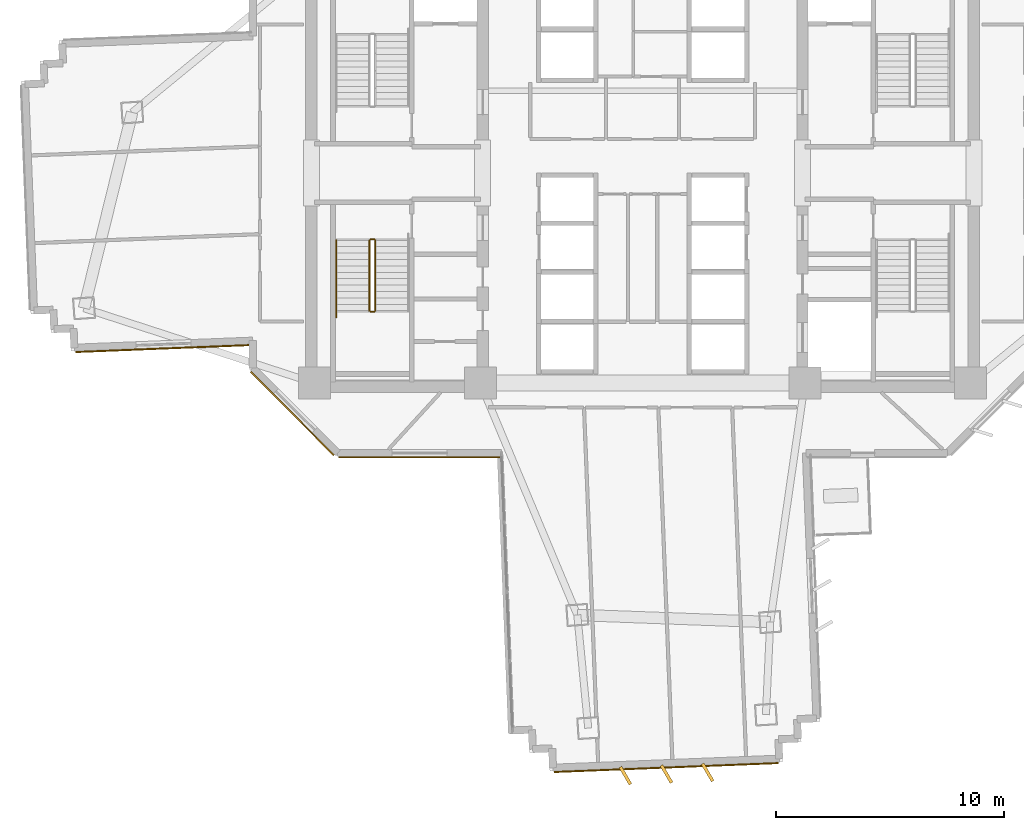
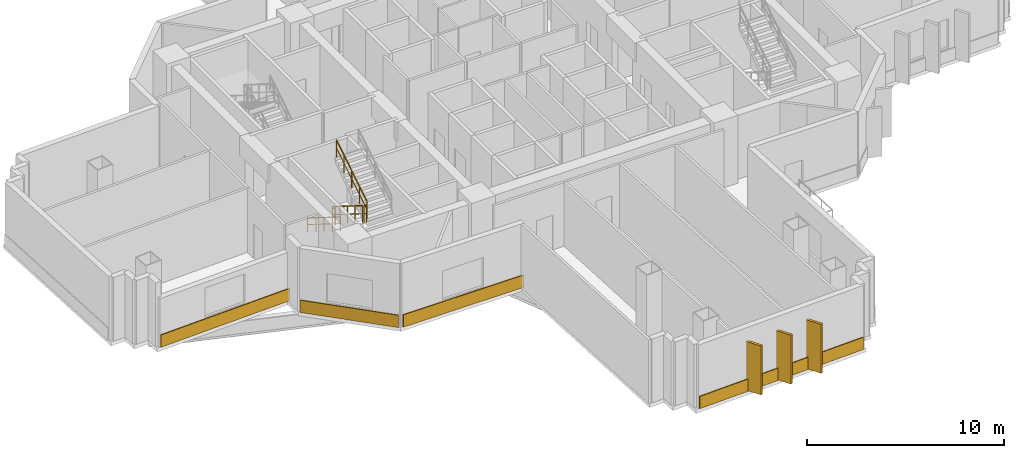
# One storey, part 12 of 16: 7 coverings, 5 railings.
"""IFC4 building model written with IfcOpenShell, lengths in metres."""

from ifc_helpers import new_model, si_unit, direction, frame, origin, origin_2d, place, context, subcontext, project, spatial, rectangle, extrude, source, transform, mapped, material, layer, layer_set, type_object, element, save


model = new_model("IFC4")

# Units and contexts
model_context = context("Model", 3, precision=1e-05, world=origin(), true_north=direction((0.0, 1.0)))
body_context = subcontext(model_context, "Body", "Model", "MODEL_VIEW")
ifc_project = project(units=[si_unit("LENGTHUNIT", "METRE"), si_unit("AREAUNIT", "SQUARE_METRE"), si_unit("VOLUMEUNIT", "CUBIC_METRE"), si_unit("PLANEANGLEUNIT", "RADIAN"), si_unit("MASSUNIT", "GRAM", prefix="KILO")], contexts=[model_context])

# Site, building, storey
site_placement = place(None, origin())
site = spatial("IfcSite", under=ifc_project, at=site_placement, CompositionType="ELEMENT")
building_placement = place(site_placement, origin())
building = spatial("IfcBuilding", under=site, at=building_placement, Name="Zahravan Cultural Tower", CompositionType="ELEMENT")
storey_placement = place(building_placement, frame((0.0, 0.0, 54.300048828125)))
storey = spatial("IfcBuildingStorey", under=building, at=storey_placement, Name="L11", CompositionType="ELEMENT", Elevation=54.300048828125)

# Railings
ifc_material_1 = material(Name="Steel ASTM A572 Grade 50", Category="steel")
railing_type_1 = type_object("IfcRailingType", Name="RL-STAIR-GRD1150", PredefinedType="BALUSTRADE", material=ifc_material_1)
railing_1_placement = place(storey_placement, frame((24.050048828125, 24.050048828125, 0.175048828125)))
element("IfcRailing", 1, at=railing_1_placement, inside=storey, type_object=railing_type_1, Name="L11 ST-W2 stair guard 1", PredefinedType="BALUSTRADE", context=body_context, shape_type="SweptSolid", body=[
    extrude(rectangle(XDim=0.05, YDim=0.05, at=origin_2d()), frame((0.0, 0.0, 1.0751953125), z_axis=(0.0, -0.848028513186, 0.529950602248), x_axis=(1.0, 0.0, 0.0)), (0.0, 0.0, 1.0), 3.632080078125),
    extrude(rectangle(XDim=0.032, YDim=0.032, at=origin_2d()), frame((0.0, 0.0, 0.572021484375), z_axis=(0.0, -0.848028513186, 0.529950602248), x_axis=(1.0, 0.0, 0.0)), (0.0, 0.0, 1.0), 3.632080078125),
    extrude(rectangle(XDim=0.04, YDim=0.04, at=origin_2d()), origin(), (0.0, 0.0, 1.0), 1.10009765625),
    extrude(rectangle(XDim=0.04, YDim=0.04, at=origin_2d()), frame((0.0, -0.77001953125, 0.481201171875)), (0.0, 0.0, 1.0), 1.10009765625),
    extrude(rectangle(XDim=0.04, YDim=0.04, at=origin_2d()), frame((0.0, -1.5400390625, 0.96240234375)), (0.0, 0.0, 1.0), 1.10009765625),
    extrude(rectangle(XDim=0.04, YDim=0.04, at=origin_2d()), frame((0.0, -2.31005859375, 1.443603515625)), (0.0, 0.0, 1.0), 1.10009765625),
    extrude(rectangle(XDim=0.04, YDim=0.04, at=origin_2d()), frame((0.0, -3.080078125, 1.9248046875)), (0.0, 0.0, 1.0), 1.10009765625),
])
railing_2_placement = place(storey_placement, frame((24.10009765625, 20.919921875, 2.099853515625)))
element("IfcRailing", 2, at=railing_2_placement, inside=storey, type_object=railing_type_1, Name="L11 ST-W2 stair guard 2", PredefinedType="BALUSTRADE", context=body_context, shape_type="SweptSolid", body=[
    extrude(rectangle(XDim=0.05, YDim=0.05, at=origin_2d()), frame((0.0, 0.0, 1.0751953125), z_axis=(1.0, 0.0, 0.0), x_axis=(0.0, 1.0, 0.0)), (0.0, 0.0, 1.0), 0.14990234375),
    extrude(rectangle(XDim=0.032, YDim=0.032, at=origin_2d()), frame((0.0, 0.0, 0.572021484375), z_axis=(1.0, 0.0, 0.0), x_axis=(0.0, 1.0, 0.0)), (0.0, 0.0, 1.0), 0.14990234375),
    extrude(rectangle(XDim=0.04, YDim=0.04, at=origin_2d()), origin(), (0.0, 0.0, 1.0), 1.10009765625),
    extrude(rectangle(XDim=0.04, YDim=0.04, at=origin_2d()), frame((0.14990234375, 0.0, 0.0)), (0.0, 0.0, 1.0), 1.10009765625),
])
railing_3_placement = place(storey_placement, frame((24.300048828125, 20.969970703125, 2.27490234375)))
element("IfcRailing", 3, at=railing_3_placement, inside=storey, type_object=railing_type_1, Name="L11 ST-W2 stair guard 3", PredefinedType="BALUSTRADE", context=body_context, shape_type="SweptSolid", body=[
    extrude(rectangle(XDim=0.05, YDim=0.05, at=origin_2d()), frame((0.0, 0.0, 1.0751953125), z_axis=(0.0, 0.847998304005, 0.529998940003), x_axis=(-1.0, 0.0, 0.0)), (0.0, 0.0, 1.0), 3.632080078125),
    extrude(rectangle(XDim=0.032, YDim=0.032, at=origin_2d()), frame((0.0, 0.0, 0.572021484375), z_axis=(0.0, 0.847998304005, 0.529998940003), x_axis=(-1.0, 0.0, 0.0)), (0.0, 0.0, 1.0), 3.632080078125),
    extrude(rectangle(XDim=0.04, YDim=0.04, at=origin_2d()), origin(), (0.0, 0.0, 1.0), 1.10009765625),
    extrude(rectangle(XDim=0.04, YDim=0.04, at=origin_2d()), frame((0.0, 0.77001953125, 0.481201171875)), (0.0, 0.0, 1.0), 1.10009765625),
    extrude(rectangle(XDim=0.04, YDim=0.04, at=origin_2d()), frame((0.0, 1.5400390625, 0.96240234375)), (0.0, 0.0, 1.0), 1.10009765625),
    extrude(rectangle(XDim=0.04, YDim=0.04, at=origin_2d()), frame((0.0, 2.31005859375, 1.44384765625)), (0.0, 0.0, 1.0), 1.10009765625),
    extrude(rectangle(XDim=0.04, YDim=0.04, at=origin_2d()), frame((0.0, 3.080078125, 1.925048828125)), (0.0, 0.0, 1.0), 1.10009765625),
])
railing_4_placement = place(storey_placement, frame((24.10009765625, 24.10009765625, 0.0)))
element("IfcRailing", 4, at=railing_4_placement, inside=storey, type_object=railing_type_1, Name="L11 ST-W2 stair guard 4", PredefinedType="BALUSTRADE", context=body_context, shape_type="SweptSolid", body=[
    extrude(rectangle(XDim=0.05, YDim=0.05, at=origin_2d()), frame((0.0, 0.0, 1.0751953125), z_axis=(1.0, 0.0, 0.0), x_axis=(0.0, 1.0, 0.0)), (0.0, 0.0, 1.0), 0.14990234375),
    extrude(rectangle(XDim=0.032, YDim=0.032, at=origin_2d()), frame((0.0, 0.0, 0.572021484375), z_axis=(1.0, 0.0, 0.0), x_axis=(0.0, 1.0, 0.0)), (0.0, 0.0, 1.0), 0.14990234375),
    extrude(rectangle(XDim=0.04, YDim=0.04, at=origin_2d()), origin(), (0.0, 0.0, 1.0), 1.10009765625),
    extrude(rectangle(XDim=0.04, YDim=0.04, at=origin_2d()), frame((0.14990234375, 0.0, 0.0)), (0.0, 0.0, 1.0), 1.10009765625),
])
railing_type_2 = type_object("IfcRailingType", Name="RL-STAIR-HR900", PredefinedType="HANDRAIL", material=ifc_material_1)
railing_5_placement = place(storey_placement, frame((22.60009765625, 24.050048828125, 0.175048828125)))
element("IfcRailing", 5, at=railing_5_placement, inside=storey, type_object=railing_type_2, Name="L11 ST-W2 stair handrail 1", PredefinedType="HANDRAIL", context=body_context, shape_type="SweptSolid", body=[
    extrude(rectangle(XDim=0.05, YDim=0.05, at=origin_2d()), frame((0.0, 0.0, 0.875), z_axis=(0.0, -0.848022534174, 0.529960169762), x_axis=(1.0, 0.0, 0.0)), (0.0, 0.0, 1.0), 3.96240234375),
    extrude(rectangle(XDim=0.032, YDim=0.032, at=origin_2d()), frame((0.0, 0.0, 0.468017578125), z_axis=(0.0, -0.848022534174, 0.529960169762), x_axis=(1.0, 0.0, 0.0)), (0.0, 0.0, 1.0), 3.96240234375),
    extrude(rectangle(XDim=0.04, YDim=0.04, at=origin_2d()), origin(), (0.0, 0.0, 1.0), 0.89990234375),
    extrude(rectangle(XDim=0.04, YDim=0.04, at=origin_2d()), frame((0.0, -0.840087890625, 0.52490234375)), (0.0, 0.0, 1.0), 0.89990234375),
    extrude(rectangle(XDim=0.04, YDim=0.04, at=origin_2d()), frame((0.0, -1.68017578125, 1.0498046875)), (0.0, 0.0, 1.0), 0.89990234375),
    extrude(rectangle(XDim=0.04, YDim=0.04, at=origin_2d()), frame((0.0, -2.52001953125, 1.574951171875)), (0.0, 0.0, 1.0), 0.89990234375),
    extrude(rectangle(XDim=0.04, YDim=0.04, at=origin_2d()), frame((0.0, -3.360107421875, 2.099853515625)), (0.0, 0.0, 1.0), 0.89990234375),
])

# Coverings
ifc_material_2 = material(Name="Terracotta ceramic cladding", Category="masonry")
ifc_layer = layer(ifc_material_2, 0.06005859375)
ifc_layer_set = layer_set([ifc_layer], Name="Terracotta ceramic cladding")
covering_type = type_object("IfcCoveringType", Name="COV-CLAD-TC60", PredefinedType="CLADDING", material=ifc_layer_set)
shared_shape_1 = source(origin(), body_context, "Body", "SweptSolid", [
    extrude(rectangle(XDim=9.820068359375, YDim=0.06005859375, at=origin_2d()), origin(), (0.0, 0.0, 1.0), 0.760009765625),
])
covering_1_placement = place(storey_placement, frame((37.0361328125, 0.9755859375, 0.02001953125), z_axis=(0.0, 0.0, 1.0), x_axis=(-0.999208342878, -0.039783005453, 0.0)))
element("IfcCovering", 6, at=covering_1_placement, inside=storey, type_object=covering_type, Name="L11 Terracotta Spandrel Cladding 20", PredefinedType="CLADDING", context=body_context, shape_type="MappedRepresentation", body=[
    mapped(shared_shape_1, transform((0.0, 0.0, 0.0), x_axis=(1.0, 0.0, 0.0), y_axis=(0.0, 1.0, 0.0), z_axis=(0.0, 0.0, 1.0), scale=1.0)),
])
shared_shape_2 = source(origin(), body_context, "Body", "SweptSolid", [
    extrude(rectangle(XDim=5.157958984375, YDim=0.06005859375, at=origin_2d()), origin(), (0.0, 0.0, 1.0), 0.760009765625),
])
covering_2_placement = place(storey_placement, frame((20.668212890625, 16.46826171875, 0.02001953125), z_axis=(0.0, 0.0, 1.0), x_axis=(-0.707106781187, 0.707106781187, 0.0)))
element("IfcCovering", 7, at=covering_2_placement, inside=storey, type_object=covering_type, Name="L11 Terracotta Spandrel Cladding 26", PredefinedType="CLADDING", context=body_context, shape_type="MappedRepresentation", body=[
    mapped(shared_shape_2, transform((0.0, 0.0, 0.0), x_axis=(1.0, 0.0, 0.0), y_axis=(0.0, 1.0, 0.0), z_axis=(0.0, 0.0, 1.0), scale=1.0)),
])
shared_shape_3 = source(origin(), body_context, "Body", "SweptSolid", [
    extrude(rectangle(XDim=0.8798828125, YDim=0.139892578125, at=origin_2d()), origin(), (0.0, 0.0, 1.0), 3.030029296875),
])
for number, where, z_axis, x_axis, name in (
    (8, (38.845947265625, 0.762451171875, 0.0498046875), (0.0, 0.0, 1.0), (0.504226211181, -0.863571611366, 0.0), "L11 Herringbone Terracotta Fin 15"),
    (9, (37.04736328125, 0.69091796875, 0.0498046875), (0.0, 0.0, 1.0), (0.504226211181, -0.863571611366, 0.0), "L11 Herringbone Terracotta Fin 16"),
    (10, (35.248779296875, 0.619384765625, 0.0498046875), (0.0, 0.0, 1.0), (0.504226211181, -0.863571611366, 0.0), "L11 Herringbone Terracotta Fin 17"),
):
    element("IfcCovering", number, at=place(storey_placement, frame(where, z_axis=z_axis, x_axis=x_axis)), inside=storey, type_object=covering_type, Name=name, PredefinedType="CLADDING", context=body_context, shape_type="MappedRepresentation", body=[
        mapped(shared_shape_3, transform((0.0, 0.0, 0.0), x_axis=(1.0, 0.0, 0.0), y_axis=(0.0, 1.0, 0.0), z_axis=(0.0, 0.0, 1.0), scale=1.0)),
    ])
shared_shape_4 = source(origin(), body_context, "Body", "SweptSolid", [
    extrude(rectangle(XDim=7.72119140625, YDim=0.06005859375, at=origin_2d()), origin(), (0.0, 0.0, 1.0), 0.760009765625),
])
covering_3_placement = place(storey_placement, frame((15.039794921875, 19.315185546875, 0.02001953125), z_axis=(0.0, 0.0, 1.0), x_axis=(-0.999208342878, -0.039783005453, 0.0)))
element("IfcCovering", 11, at=covering_3_placement, inside=storey, type_object=covering_type, Name="L11 Terracotta Spandrel Cladding 28", PredefinedType="CLADDING", context=body_context, shape_type="MappedRepresentation", body=[
    mapped(shared_shape_4, transform((0.0, 0.0, 0.0), x_axis=(1.0, 0.0, 0.0), y_axis=(0.0, 1.0, 0.0), z_axis=(0.0, 0.0, 1.0), scale=1.0)),
])
shared_shape_5 = source(origin(), body_context, "Body", "SweptSolid", [
    extrude(rectangle(XDim=7.064697265625, YDim=0.06005859375, at=origin_2d()), origin(), (0.0, 0.0, 1.0), 0.760009765625),
])
covering_4_placement = place(storey_placement, frame((26.240478515625, 14.554931640625, 0.02001953125), z_axis=(0.0, 0.0, 1.0), x_axis=(-1.0, 0.0, 0.0)))
element("IfcCovering", 12, at=covering_4_placement, inside=storey, type_object=covering_type, Name="L11 Terracotta Spandrel Cladding 25", PredefinedType="CLADDING", context=body_context, shape_type="MappedRepresentation", body=[
    mapped(shared_shape_5, transform((0.0, 0.0, 0.0), x_axis=(1.0, 0.0, 0.0), y_axis=(0.0, 1.0, 0.0), z_axis=(0.0, 0.0, 1.0), scale=1.0)),
])

save(model, "model.ifc")
